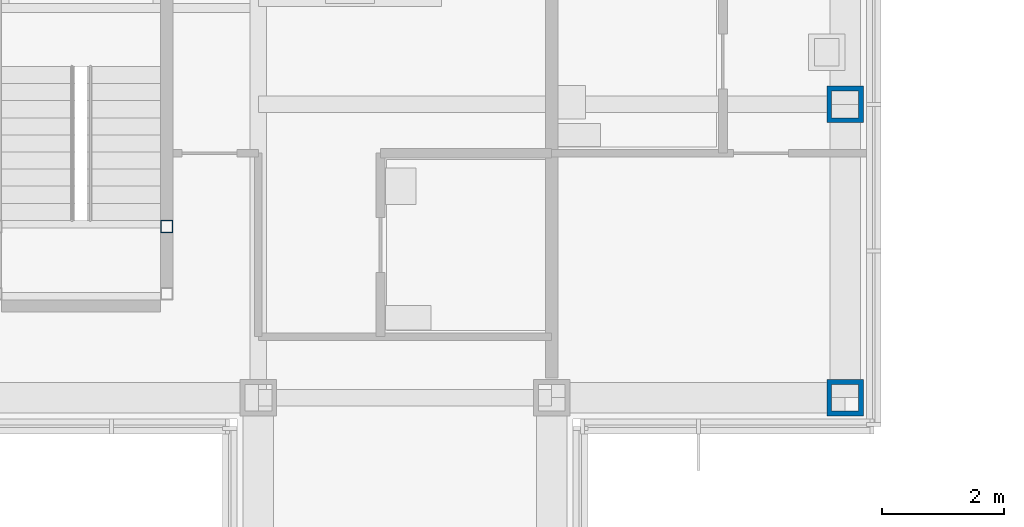
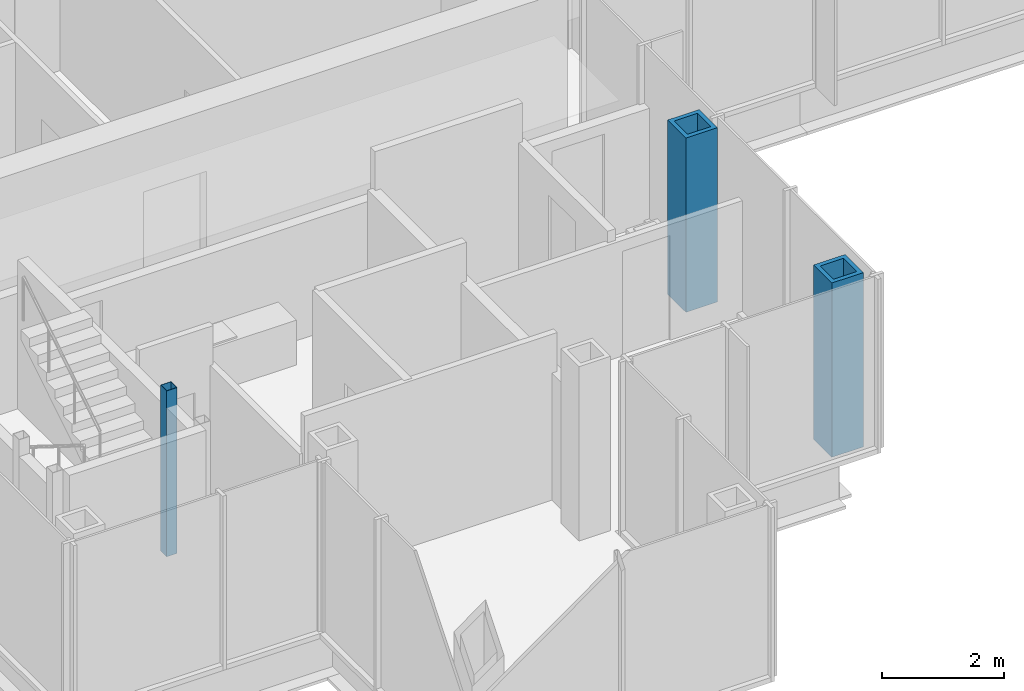
# One storey, part 2 of 17: 3 columns.
"""IFC4 building model written with IfcOpenShell, lengths in metres."""

from ifc_helpers import new_model, si_unit, direction, frame, origin, origin_2d, place, context, subcontext, project, spatial, hollow_rectangle, extrude, material, material_profile, profile_set, type_object, element, save


model = new_model("IFC4")

# Units and contexts
model_context = context("Model", 3, precision=1e-05, world=origin(), true_north=direction((0.0, 1.0)))
body_context = subcontext(model_context, "Body", "Model", "MODEL_VIEW")
ifc_project = project(units=[si_unit("LENGTHUNIT", "METRE"), si_unit("AREAUNIT", "SQUARE_METRE"), si_unit("VOLUMEUNIT", "CUBIC_METRE"), si_unit("PLANEANGLEUNIT", "RADIAN"), si_unit("MASSUNIT", "GRAM", prefix="KILO")], contexts=[model_context])

# Site, building, storey
site_placement = place(None, origin())
site = spatial("IfcSite", under=ifc_project, at=site_placement, CompositionType="ELEMENT")
building_placement = place(site_placement, origin())
building = spatial("IfcBuilding", under=site, at=building_placement, Name="Kvirike Care Tower", CompositionType="ELEMENT")
storey_placement = place(building_placement, frame((0.0, 0.0, 148.0)))
storey = spatial("IfcBuildingStorey", under=building, at=storey_placement, Name="L40", CompositionType="ELEMENT", Elevation=148.0)

# Columns
ifc_material_1 = material(Name="Steel S460", Category="steel")
ifc_material_profile_1 = material_profile(ifc_material_1, hollow_rectangle(XDim=0.60009765625, YDim=0.60009765625, WallThickness=0.080078125, at=origin_2d()), Name="BX 600x600x80")
ifc_profile_set_1 = profile_set([ifc_material_profile_1], Name="Steel S460")
column_type_1 = type_object("IfcColumnType", Name="COLUMN BX 600x600x80", PredefinedType="COLUMN", material=ifc_profile_set_1)
for number, where, z_axis, x_axis, name in (
    (1, (28.800048828125, 19.199951171875, 0.0), (0.0, 0.0, 1.0), (0.0, 1.0, 0.0), "Column E9 L40"),
    (2, (28.800048828125, 24.0, 0.0), (0.0, 0.0, 1.0), (1.0, 0.0, 0.0), "Column F9 L40"),
):
    element("IfcColumn", number, at=place(storey_placement, frame(where, z_axis=z_axis, x_axis=x_axis)), inside=storey, type_object=column_type_1, Name=name, PredefinedType="COLUMN", context=body_context, shape_type="SweptSolid", body=[
        extrude(hollow_rectangle(XDim=0.60009765625, YDim=0.60009765625, WallThickness=0.080078125, at=origin_2d()), origin(), (0.0, 0.0, 1.0), 3.5),
    ])
ifc_material_2 = material(Name="Steel S460", Category="steel")
ifc_material_profile_2 = material_profile(ifc_material_2, hollow_rectangle(XDim=0.199951171875, YDim=0.199951171875, WallThickness=0.008056640625, at=origin_2d()), Name="SHS 200x200x8")
ifc_profile_set_2 = profile_set([ifc_material_profile_2], Name="Steel S460")
column_type_2 = type_object("IfcColumnType", Name="STAIR POST SHS 200x200x8", PredefinedType="COLUMN", material=ifc_profile_set_2)
column_placement = place(storey_placement, frame((17.699951171875, 22.0, 0.0), z_axis=(0.0, 0.0, 1.0), x_axis=(1.0, 0.0, 0.0)))
element("IfcColumn", 3, at=column_placement, inside=storey, type_object=column_type_2, Name="Stair 5 post 4 L40", PredefinedType="COLUMN", context=body_context, shape_type="SweptSolid", body=[
    extrude(hollow_rectangle(XDim=0.199951171875, YDim=0.199951171875, WallThickness=0.008056640625, at=origin_2d()), origin(), (0.0, 0.0, 1.0), 3.330078125),
])

save(model, "model.ifc")
